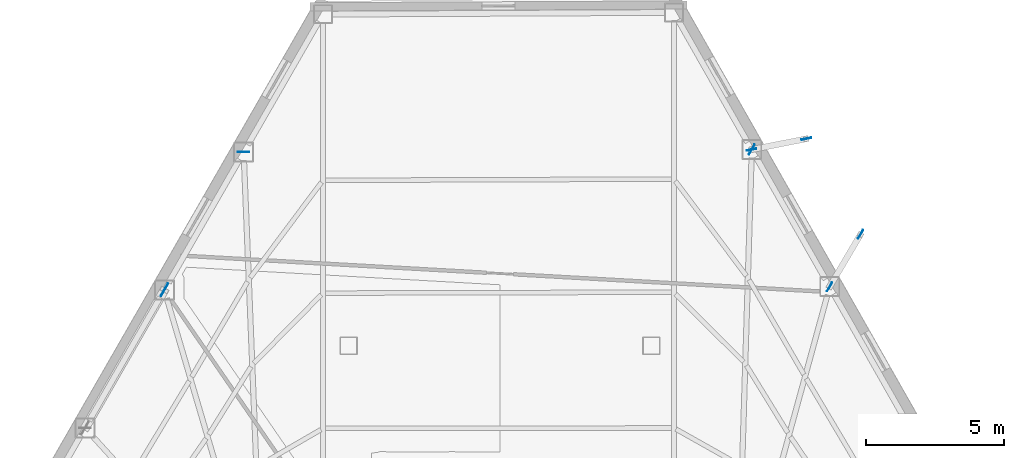
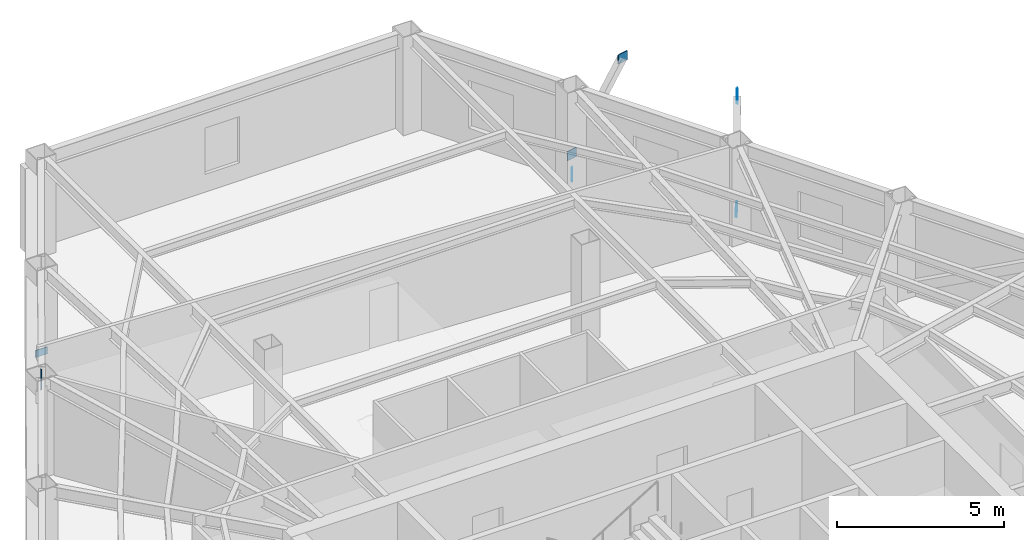
# One storey, part 7 of 13: 7 plates.
"""IFC4 building model written with IfcOpenShell, lengths in metres."""

from ifc_helpers import new_model, si_unit, direction, frame, origin, origin_2d, place, context, subcontext, project, spatial, rectangle, extrude, material, layer, layer_set, type_object, element, save


model = new_model("IFC4")

# Units and contexts
model_context = context("Model", 3, precision=1e-05, world=origin(), true_north=direction((0.0, 1.0)))
body_context = subcontext(model_context, "Body", "Model", "MODEL_VIEW")
ifc_project = project(units=[si_unit("LENGTHUNIT", "METRE"), si_unit("AREAUNIT", "SQUARE_METRE"), si_unit("VOLUMEUNIT", "CUBIC_METRE"), si_unit("PLANEANGLEUNIT", "RADIAN"), si_unit("MASSUNIT", "GRAM", prefix="KILO")], contexts=[model_context])

# Site, building, storey
site_placement = place(None, origin())
site = spatial("IfcSite", under=ifc_project, at=site_placement, CompositionType="ELEMENT")
building_placement = place(site_placement, origin())
building = spatial("IfcBuilding", under=site, at=building_placement, Name="Kavelnor Concourse Tower", CompositionType="ELEMENT")
storey_placement = place(building_placement, frame((0.0, 0.0, 85.5)))
storey = spatial("IfcBuildingStorey", under=building, at=storey_placement, Name="L21", CompositionType="ELEMENT", Elevation=85.5)

# Plates
ifc_material = material(Name="Steel Grade 350", Category="steel")
ifc_layer_1 = layer(ifc_material, 0.028076171875, Name="Steel Grade 350")
ifc_layer_set_1 = layer_set([ifc_layer_1], Name="Steel Grade 350")
plate_type_1 = type_object("IfcPlateType", Name="PL-GUSSET-FOLD", PredefinedType="USERDEFINED", material=ifc_layer_set_1)
for number, where, z_axis, x_axis, name in (
    (1, (49.970947265625, 33.93603515625, 0.8798828125), (0.0, 0.0, 1.0), (0.507839097349, 0.861451943641, 0.0), "L21 Balcony Strut Gusset GP4 2-A End Gusset A"),
    (2, (51.097900390625, 35.84765625, 3.48486328125), (0.0, 0.0, 1.0), (0.507839097349, 0.861451943641, 0.0), "L21 Balcony Strut Gusset GP4 2-A End Gusset B"),
    (3, (47.135009765625, 38.923828125, 0.8798828125), (0.0, 0.0, 1.0), (0.981022896164, 0.193891921448, 0.0), "L21 Balcony Strut Gusset GP4 2-B End Gusset A"),
    (4, (49.127685546875, 39.317626953125, 3.48486328125), (0.0, 0.0, 1.0), (0.981022896164, 0.193891921448, 0.0), "L21 Balcony Strut Gusset GP4 2-B End Gusset B"),
):
    element("IfcPlate", number, at=place(storey_placement, frame(where, z_axis=z_axis, x_axis=x_axis)), inside=storey, type_object=plate_type_1, Name=name, ObjectType="GUSSET_PLATE", PredefinedType="USERDEFINED", context=body_context, shape_type="SweptSolid", body=[
        extrude(rectangle(XDim=0.360107421875, YDim=0.028076171875, at=origin_2d()), origin(), (0.0, 0.0, 1.0), 0.340087890625),
    ])
ifc_layer_2 = layer(ifc_material, 0.031982421875, Name="Steel Grade 350")
ifc_layer_set_2 = layer_set([ifc_layer_2], Name="Steel Grade 350")
plate_type_2 = type_object("IfcPlateType", Name="PL-GUSSET-TUBE-Z1", PredefinedType="USERDEFINED", material=ifc_layer_set_2)
plate_placement = place(storey_placement, frame((25.814208984375, 33.833740234375, 3.12353515625), z_axis=(0.0, 0.0, 1.0), x_axis=(0.498487739754, 0.866896748936, 0.0)))
element("IfcPlate", 5, at=plate_placement, inside=storey, type_object=plate_type_2, Name="L21 Tube Brace Gusset GP3 F0-B2 End Gusset B", ObjectType="GUSSET_PLATE", PredefinedType="USERDEFINED", context=body_context, shape_type="SweptSolid", body=[
    extrude(rectangle(XDim=0.52001953125, YDim=0.031982421875, at=origin_2d()), origin(), (0.0, 0.0, 1.0), 0.419921875),
])
ifc_layer_3 = layer(ifc_material, 0.02490234375, Name="Steel Grade 350")
ifc_layer_set_3 = layer_set([ifc_layer_3], Name="Steel Grade 350")
plate_type_3 = type_object("IfcPlateType", Name="PL-SPLICE-FLANGE", PredefinedType="SHEET", material=ifc_layer_set_3)
for number, where, z_axis, x_axis, name in (
    (6, (28.6884765625, 38.8330078125, 0.169921875), (0.0, 0.0, 1.0), (1.0, 0.0, 0.0), "L21 Column Flange Splice Plate F0-B1"),
    (7, (47.146728515625, 38.92626953125, 0.169921875), (0.0, 0.0, 1.0), (-0.5, -0.866025403784, 0.0), "L21 Column Flange Splice Plate F2-B5"),
):
    element("IfcPlate", number, at=place(storey_placement, frame(where, z_axis=z_axis, x_axis=x_axis)), inside=storey, type_object=plate_type_3, Name=name, PredefinedType="SHEET", context=body_context, shape_type="SweptSolid", body=[
        extrude(rectangle(XDim=0.419921875, YDim=0.02490234375, at=origin_2d()), origin(), (0.0, 0.0, 1.0), 0.260009765625),
    ])

save(model, "model.ifc")
